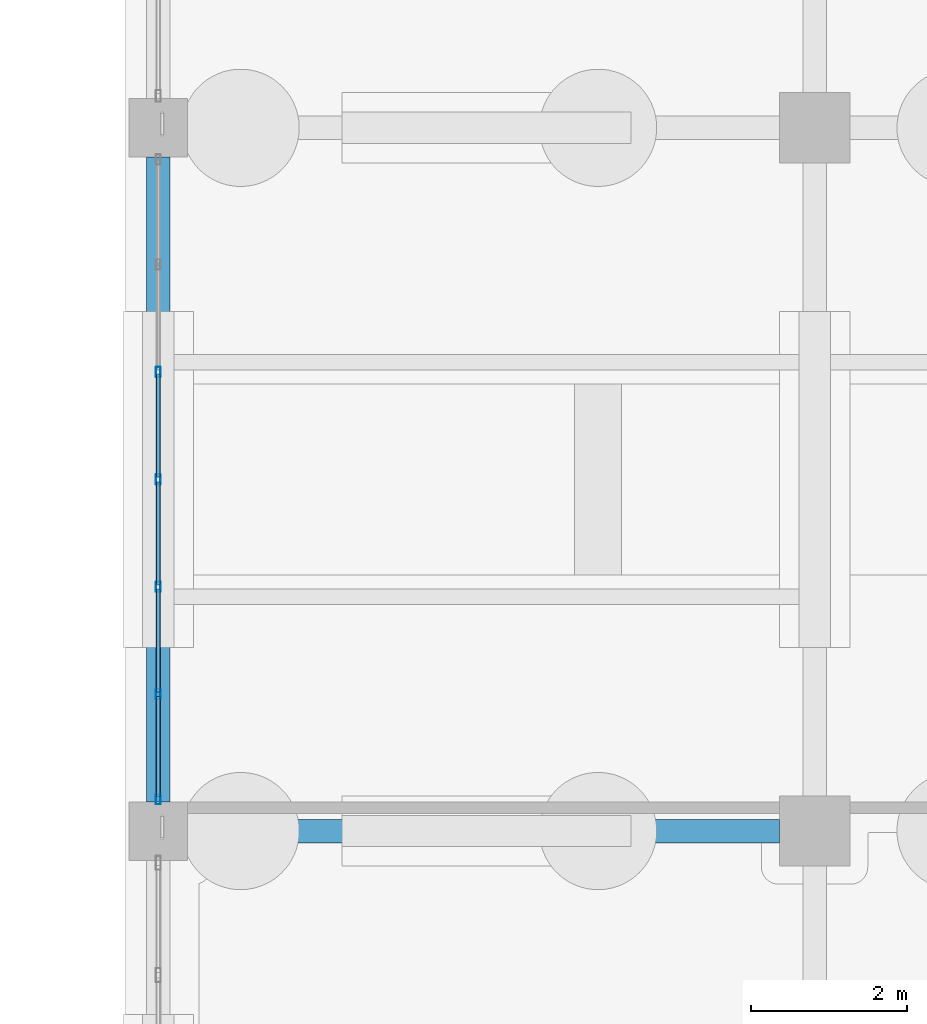
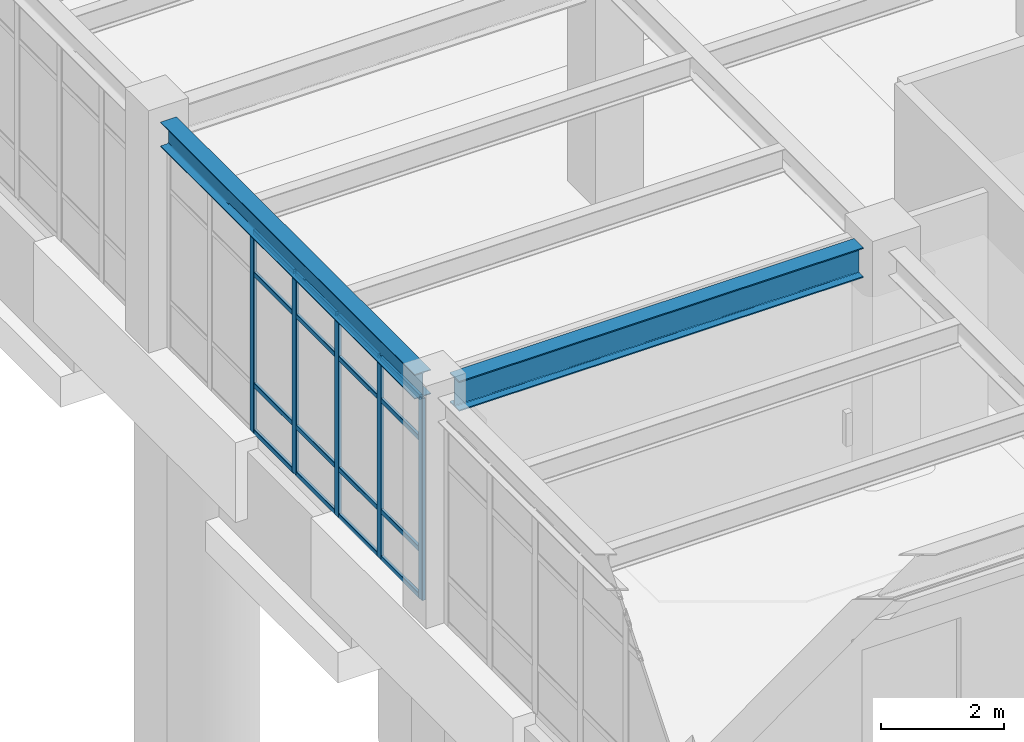
# One storey, part 59 of 139: 21 members, 2 beams, 1 element without a shape of its own.
"""IFC4 building model written with IfcOpenShell, lengths in metres."""

from ifc_helpers import new_model, si_unit, direction, frame, origin, origin_2d, place, context, subcontext, project, spatial, hollow_rectangle, i_section, extrude, material, material_profile, profile_set, type_object, element, aggregate, save


model = new_model("IFC4")

# Units and contexts
model_context = context("Model", 3, precision=1e-05, world=origin(), true_north=direction((0.0, 1.0)))
body_context = subcontext(model_context, "Body", "Model", "MODEL_VIEW")
ifc_project = project(units=[si_unit("LENGTHUNIT", "METRE"), si_unit("AREAUNIT", "SQUARE_METRE"), si_unit("VOLUMEUNIT", "CUBIC_METRE"), si_unit("PLANEANGLEUNIT", "RADIAN"), si_unit("MASSUNIT", "GRAM", prefix="KILO")], contexts=[model_context])

# Site, building, storey
site_placement = place(None, origin())
site = spatial("IfcSite", under=ifc_project, at=site_placement, CompositionType="ELEMENT")
building_placement = place(site_placement, origin())
building = spatial("IfcBuilding", under=site, at=building_placement, Name="Canglan Escarpment Cableway Terminal", CompositionType="ELEMENT")
storey_placement = place(building_placement, frame((0.0, 0.0, 14.39990234375)))
storey = spatial("IfcBuildingStorey", under=building, at=storey_placement, Name="L03", CompositionType="ELEMENT", Elevation=14.39990234375)

# Beams
ifc_material_1 = material(Name="Steel Q355B", Category="steel")
ifc_material_profile_1 = material_profile(ifc_material_1, i_section(OverallWidth=0.300048828125, OverallDepth=0.488037109375, WebThickness=0.010986328125, FlangeThickness=0.01806640625, FilletRadius=0.02587890625, at=origin_2d()), Name="HM 488x300x11x18")
ifc_profile_set_1 = profile_set([ifc_material_profile_1], Name="Steel Q355B")
beam_type_1 = type_object("IfcBeamType", Name="BM-HM488", PredefinedType="BEAM", material=ifc_profile_set_1)
beam_1_placement = place(storey_placement, frame((111.5, 97.375, 4.256103515625), z_axis=(0.0, 1.0, 0.0), x_axis=(-1.0, 0.0, 0.0)))
element("IfcBeam", 1, at=beam_1_placement, inside=storey, type_object=beam_type_1, Name="Primary transverse girder B-09", PredefinedType="BEAM", context=body_context, shape_type="SweptSolid", body=[
    extrude(i_section(OverallWidth=0.300048828125, OverallDepth=0.488037109375, WebThickness=0.010986328125, FlangeThickness=0.01806640625, FilletRadius=0.02587890625, at=origin_2d()), origin(), (0.0, 0.0, 1.0), 8.25),
])
ifc_material_2 = material(Name="Steel Q355C", Category="steel")
ifc_material_profile_2 = material_profile(ifc_material_2, i_section(OverallWidth=0.302001953125, OverallDepth=0.593994140625, WebThickness=0.013916015625, FlangeThickness=0.02294921875, FilletRadius=0.028076171875, at=origin_2d()), Name="HM 594x302x14x23")
ifc_profile_set_2 = profile_set([ifc_material_profile_2], Name="Steel Q355C")
beam_type_2 = type_object("IfcBeamType", Name="BM-HM594", PredefinedType="BEAM", material=ifc_profile_set_2)
beam_2_placement = place(storey_placement, frame((111.875, 97.0, 4.203125), z_axis=(1.0, 0.0, 0.0), x_axis=(0.0, 1.0, 0.0)))
element("IfcBeam", 2, at=beam_2_placement, inside=storey, type_object=beam_type_2, Name="Primary structural girder B-07", PredefinedType="BEAM", context=body_context, shape_type="SweptSolid", body=[
    extrude(i_section(OverallWidth=0.302001953125, OverallDepth=0.593994140625, WebThickness=0.013916015625, FlangeThickness=0.02294921875, FilletRadius=0.028076171875, at=origin_2d()), origin(), (0.0, 0.0, 1.0), 7.574951171875),
])

# Curtain wall, members
ifc_material_3 = material(Name="Anodized bronze aluminium and Low-E double glazing", Category="aluminium")
curtain_wall_type = type_object("IfcCurtainWallType", Name="CW-BAY-8250x4000", PredefinedType="NOTDEFINED", material=ifc_material_3)
curtain_wall_placement = place(storey_placement, origin())
curtain_wall = element("IfcCurtainWall", 3, at=curtain_wall_placement, inside=storey, type_object=curtain_wall_type, Name="Classical bay-between-piers glazed curtain wall CW-48", PredefinedType="NOTDEFINED")
ifc_material_4 = material(Name="Thermally broken anodized aluminium 6063-T6", Category="aluminium")
ifc_material_profile_3 = material_profile(ifc_material_4, hollow_rectangle(XDim=0.06005859375, YDim=0.1298828125, WallThickness=0.0029296875, InnerFilletRadius=0.0029296875, OuterFilletRadius=0.006103515625, at=origin_2d()), Name="ALU-MULL 60x130x3")
ifc_profile_set_3 = profile_set([ifc_material_profile_3], Name="Thermally broken anodized aluminium 6063-T6")
member_type_1 = type_object("IfcMemberType", Name="CWM-01", PredefinedType="MULLION", material=ifc_profile_set_3)
member_1_placement = place(storey_placement, frame((111.5, 102.875, 0.0), z_axis=(0.0, 0.0, 1.0), x_axis=(1.0, 0.0, 0.0)))
member_1 = element("IfcMember", 4, at=member_1_placement, type_object=member_type_1, Name="CW-48 mullion 3", PredefinedType="MULLION", context=body_context, shape_type="SweptSolid", body=[
    extrude(hollow_rectangle(XDim=0.06005859375, YDim=0.1298828125, WallThickness=0.0029296875, InnerFilletRadius=0.0029296875, OuterFilletRadius=0.006103515625, at=origin_2d()), origin(), (0.0, 0.0, 1.0), 3.9970703125),
])
member_2_placement = place(storey_placement, frame((111.5, 101.5, 0.0), z_axis=(0.0, 0.0, 1.0), x_axis=(1.0, 0.0, 0.0)))
member_2 = element("IfcMember", 5, at=member_2_placement, type_object=member_type_1, Name="CW-48 mullion 4", PredefinedType="MULLION", context=body_context, shape_type="SweptSolid", body=[
    extrude(hollow_rectangle(XDim=0.06005859375, YDim=0.1298828125, WallThickness=0.0029296875, InnerFilletRadius=0.0029296875, OuterFilletRadius=0.006103515625, at=origin_2d()), origin(), (0.0, 0.0, 1.0), 3.9970703125),
])
member_3_placement = place(storey_placement, frame((111.5, 100.125, 0.0), z_axis=(0.0, 0.0, 1.0), x_axis=(1.0, 0.0, 0.0)))
member_3 = element("IfcMember", 6, at=member_3_placement, type_object=member_type_1, Name="CW-48 mullion 5", PredefinedType="MULLION", context=body_context, shape_type="SweptSolid", body=[
    extrude(hollow_rectangle(XDim=0.06005859375, YDim=0.1298828125, WallThickness=0.0029296875, InnerFilletRadius=0.0029296875, OuterFilletRadius=0.006103515625, at=origin_2d()), origin(), (0.0, 0.0, 1.0), 3.9970703125),
])
member_4_placement = place(storey_placement, frame((111.5, 98.75, 0.0), z_axis=(0.0, 0.0, 1.0), x_axis=(1.0, 0.0, 0.0)))
member_4 = element("IfcMember", 7, at=member_4_placement, type_object=member_type_1, Name="CW-48 mullion 6", PredefinedType="MULLION", context=body_context, shape_type="SweptSolid", body=[
    extrude(hollow_rectangle(XDim=0.06005859375, YDim=0.1298828125, WallThickness=0.0029296875, InnerFilletRadius=0.0029296875, OuterFilletRadius=0.006103515625, at=origin_2d()), origin(), (0.0, 0.0, 1.0), 3.9970703125),
])
member_5_placement = place(storey_placement, frame((111.5, 97.405029296875, 0.0), z_axis=(0.0, 0.0, 1.0), x_axis=(1.0, 0.0, 0.0)))
member_5 = element("IfcMember", 8, at=member_5_placement, type_object=member_type_1, Name="CW-48 mullion 7", PredefinedType="MULLION", context=body_context, shape_type="SweptSolid", body=[
    extrude(hollow_rectangle(XDim=0.06005859375, YDim=0.1298828125, WallThickness=0.0029296875, InnerFilletRadius=0.0029296875, OuterFilletRadius=0.006103515625, at=origin_2d()), origin(), (0.0, 0.0, 1.0), 3.9970703125),
])
ifc_material_profile_4 = material_profile(ifc_material_4, hollow_rectangle(XDim=0.054931640625, YDim=0.094970703125, WallThickness=0.0029296875, InnerFilletRadius=0.0029296875, OuterFilletRadius=0.006103515625, at=origin_2d()), Name="ALU-TRAN 55x95x3")
ifc_profile_set_4 = profile_set([ifc_material_profile_4], Name="Thermally broken anodized aluminium 6063-T6")
member_type_2 = type_object("IfcMemberType", Name="CWT-01", PredefinedType="USERDEFINED", material=ifc_profile_set_4)
member_6_placement = place(storey_placement, frame((111.5, 102.844970703125, 0.027587890625), z_axis=(0.0, -1.0, 0.0), x_axis=(1.0, 0.0, 0.0)))
member_6 = element("IfcMember", 9, at=member_6_placement, type_object=member_type_2, Name="CW-48 transom 3.1", ObjectType="TRANSOM", PredefinedType="USERDEFINED", context=body_context, shape_type="SweptSolid", body=[
    extrude(hollow_rectangle(XDim=0.054931640625, YDim=0.094970703125, WallThickness=0.0029296875, InnerFilletRadius=0.0029296875, OuterFilletRadius=0.006103515625, at=origin_2d()), origin(), (0.0, 0.0, 1.0), 1.31494140625),
])
member_7_placement = place(storey_placement, frame((111.5, 102.844970703125, 0.9501953125), z_axis=(0.0, -1.0, 0.0), x_axis=(1.0, 0.0, 0.0)))
member_7 = element("IfcMember", 10, at=member_7_placement, type_object=member_type_2, Name="CW-48 transom 3.2", ObjectType="TRANSOM", PredefinedType="USERDEFINED", context=body_context, shape_type="SweptSolid", body=[
    extrude(hollow_rectangle(XDim=0.054931640625, YDim=0.094970703125, WallThickness=0.0029296875, InnerFilletRadius=0.0029296875, OuterFilletRadius=0.006103515625, at=origin_2d()), origin(), (0.0, 0.0, 1.0), 1.31494140625),
])
member_8_placement = place(storey_placement, frame((111.5, 102.844970703125, 3.147216796875), z_axis=(0.0, -1.0, 0.0), x_axis=(1.0, 0.0, 0.0)))
member_8 = element("IfcMember", 11, at=member_8_placement, type_object=member_type_2, Name="CW-48 transom 3.3", ObjectType="TRANSOM", PredefinedType="USERDEFINED", context=body_context, shape_type="SweptSolid", body=[
    extrude(hollow_rectangle(XDim=0.054931640625, YDim=0.094970703125, WallThickness=0.0029296875, InnerFilletRadius=0.0029296875, OuterFilletRadius=0.006103515625, at=origin_2d()), origin(), (0.0, 0.0, 1.0), 1.31494140625),
])
member_9_placement = place(storey_placement, frame((111.5, 102.844970703125, 3.969482421875), z_axis=(0.0, -1.0, 0.0), x_axis=(1.0, 0.0, 0.0)))
member_9 = element("IfcMember", 12, at=member_9_placement, type_object=member_type_2, Name="CW-48 transom 3.4", ObjectType="TRANSOM", PredefinedType="USERDEFINED", context=body_context, shape_type="SweptSolid", body=[
    extrude(hollow_rectangle(XDim=0.054931640625, YDim=0.094970703125, WallThickness=0.0029296875, InnerFilletRadius=0.0029296875, OuterFilletRadius=0.006103515625, at=origin_2d()), origin(), (0.0, 0.0, 1.0), 1.31494140625),
])
member_10_placement = place(storey_placement, frame((111.5, 101.469970703125, 0.027587890625), z_axis=(0.0, -1.0, 0.0), x_axis=(1.0, 0.0, 0.0)))
member_10 = element("IfcMember", 13, at=member_10_placement, type_object=member_type_2, Name="CW-48 transom 4.1", ObjectType="TRANSOM", PredefinedType="USERDEFINED", context=body_context, shape_type="SweptSolid", body=[
    extrude(hollow_rectangle(XDim=0.054931640625, YDim=0.094970703125, WallThickness=0.0029296875, InnerFilletRadius=0.0029296875, OuterFilletRadius=0.006103515625, at=origin_2d()), origin(), (0.0, 0.0, 1.0), 1.31494140625),
])
member_11_placement = place(storey_placement, frame((111.5, 101.469970703125, 0.9501953125), z_axis=(0.0, -1.0, 0.0), x_axis=(1.0, 0.0, 0.0)))
member_11 = element("IfcMember", 14, at=member_11_placement, type_object=member_type_2, Name="CW-48 transom 4.2", ObjectType="TRANSOM", PredefinedType="USERDEFINED", context=body_context, shape_type="SweptSolid", body=[
    extrude(hollow_rectangle(XDim=0.054931640625, YDim=0.094970703125, WallThickness=0.0029296875, InnerFilletRadius=0.0029296875, OuterFilletRadius=0.006103515625, at=origin_2d()), origin(), (0.0, 0.0, 1.0), 1.31494140625),
])
member_12_placement = place(storey_placement, frame((111.5, 101.469970703125, 3.147216796875), z_axis=(0.0, -1.0, 0.0), x_axis=(1.0, 0.0, 0.0)))
member_12 = element("IfcMember", 15, at=member_12_placement, type_object=member_type_2, Name="CW-48 transom 4.3", ObjectType="TRANSOM", PredefinedType="USERDEFINED", context=body_context, shape_type="SweptSolid", body=[
    extrude(hollow_rectangle(XDim=0.054931640625, YDim=0.094970703125, WallThickness=0.0029296875, InnerFilletRadius=0.0029296875, OuterFilletRadius=0.006103515625, at=origin_2d()), origin(), (0.0, 0.0, 1.0), 1.31494140625),
])
member_13_placement = place(storey_placement, frame((111.5, 101.469970703125, 3.969482421875), z_axis=(0.0, -1.0, 0.0), x_axis=(1.0, 0.0, 0.0)))
member_13 = element("IfcMember", 16, at=member_13_placement, type_object=member_type_2, Name="CW-48 transom 4.4", ObjectType="TRANSOM", PredefinedType="USERDEFINED", context=body_context, shape_type="SweptSolid", body=[
    extrude(hollow_rectangle(XDim=0.054931640625, YDim=0.094970703125, WallThickness=0.0029296875, InnerFilletRadius=0.0029296875, OuterFilletRadius=0.006103515625, at=origin_2d()), origin(), (0.0, 0.0, 1.0), 1.31494140625),
])
member_14_placement = place(storey_placement, frame((111.5, 100.094970703125, 0.027587890625), z_axis=(0.0, -1.0, 0.0), x_axis=(1.0, 0.0, 0.0)))
member_14 = element("IfcMember", 17, at=member_14_placement, type_object=member_type_2, Name="CW-48 transom 5.1", ObjectType="TRANSOM", PredefinedType="USERDEFINED", context=body_context, shape_type="SweptSolid", body=[
    extrude(hollow_rectangle(XDim=0.054931640625, YDim=0.094970703125, WallThickness=0.0029296875, InnerFilletRadius=0.0029296875, OuterFilletRadius=0.006103515625, at=origin_2d()), origin(), (0.0, 0.0, 1.0), 1.31494140625),
])
member_15_placement = place(storey_placement, frame((111.5, 100.094970703125, 0.9501953125), z_axis=(0.0, -1.0, 0.0), x_axis=(1.0, 0.0, 0.0)))
member_15 = element("IfcMember", 18, at=member_15_placement, type_object=member_type_2, Name="CW-48 transom 5.2", ObjectType="TRANSOM", PredefinedType="USERDEFINED", context=body_context, shape_type="SweptSolid", body=[
    extrude(hollow_rectangle(XDim=0.054931640625, YDim=0.094970703125, WallThickness=0.0029296875, InnerFilletRadius=0.0029296875, OuterFilletRadius=0.006103515625, at=origin_2d()), origin(), (0.0, 0.0, 1.0), 1.31494140625),
])
member_16_placement = place(storey_placement, frame((111.5, 100.094970703125, 3.147216796875), z_axis=(0.0, -1.0, 0.0), x_axis=(1.0, 0.0, 0.0)))
member_16 = element("IfcMember", 19, at=member_16_placement, type_object=member_type_2, Name="CW-48 transom 5.3", ObjectType="TRANSOM", PredefinedType="USERDEFINED", context=body_context, shape_type="SweptSolid", body=[
    extrude(hollow_rectangle(XDim=0.054931640625, YDim=0.094970703125, WallThickness=0.0029296875, InnerFilletRadius=0.0029296875, OuterFilletRadius=0.006103515625, at=origin_2d()), origin(), (0.0, 0.0, 1.0), 1.31494140625),
])
member_17_placement = place(storey_placement, frame((111.5, 100.094970703125, 3.969482421875), z_axis=(0.0, -1.0, 0.0), x_axis=(1.0, 0.0, 0.0)))
member_17 = element("IfcMember", 20, at=member_17_placement, type_object=member_type_2, Name="CW-48 transom 5.4", ObjectType="TRANSOM", PredefinedType="USERDEFINED", context=body_context, shape_type="SweptSolid", body=[
    extrude(hollow_rectangle(XDim=0.054931640625, YDim=0.094970703125, WallThickness=0.0029296875, InnerFilletRadius=0.0029296875, OuterFilletRadius=0.006103515625, at=origin_2d()), origin(), (0.0, 0.0, 1.0), 1.31494140625),
])
member_18_placement = place(storey_placement, frame((111.5, 98.719970703125, 0.027587890625), z_axis=(0.0, -1.0, 0.0), x_axis=(1.0, 0.0, 0.0)))
member_18 = element("IfcMember", 21, at=member_18_placement, type_object=member_type_2, Name="CW-48 transom 6.1", ObjectType="TRANSOM", PredefinedType="USERDEFINED", context=body_context, shape_type="SweptSolid", body=[
    extrude(hollow_rectangle(XDim=0.054931640625, YDim=0.094970703125, WallThickness=0.0029296875, InnerFilletRadius=0.0029296875, OuterFilletRadius=0.006103515625, at=origin_2d()), origin(), (0.0, 0.0, 1.0), 1.284912109375),
])
member_19_placement = place(storey_placement, frame((111.5, 98.719970703125, 0.9501953125), z_axis=(0.0, -1.0, 0.0), x_axis=(1.0, 0.0, 0.0)))
member_19 = element("IfcMember", 22, at=member_19_placement, type_object=member_type_2, Name="CW-48 transom 6.2", ObjectType="TRANSOM", PredefinedType="USERDEFINED", context=body_context, shape_type="SweptSolid", body=[
    extrude(hollow_rectangle(XDim=0.054931640625, YDim=0.094970703125, WallThickness=0.0029296875, InnerFilletRadius=0.0029296875, OuterFilletRadius=0.006103515625, at=origin_2d()), origin(), (0.0, 0.0, 1.0), 1.284912109375),
])
member_20_placement = place(storey_placement, frame((111.5, 98.719970703125, 3.147216796875), z_axis=(0.0, -1.0, 0.0), x_axis=(1.0, 0.0, 0.0)))
member_20 = element("IfcMember", 23, at=member_20_placement, type_object=member_type_2, Name="CW-48 transom 6.3", ObjectType="TRANSOM", PredefinedType="USERDEFINED", context=body_context, shape_type="SweptSolid", body=[
    extrude(hollow_rectangle(XDim=0.054931640625, YDim=0.094970703125, WallThickness=0.0029296875, InnerFilletRadius=0.0029296875, OuterFilletRadius=0.006103515625, at=origin_2d()), origin(), (0.0, 0.0, 1.0), 1.284912109375),
])
member_21_placement = place(storey_placement, frame((111.5, 98.719970703125, 3.969482421875), z_axis=(0.0, -1.0, 0.0), x_axis=(1.0, 0.0, 0.0)))
member_21 = element("IfcMember", 24, at=member_21_placement, type_object=member_type_2, Name="CW-48 transom 6.4", ObjectType="TRANSOM", PredefinedType="USERDEFINED", context=body_context, shape_type="SweptSolid", body=[
    extrude(hollow_rectangle(XDim=0.054931640625, YDim=0.094970703125, WallThickness=0.0029296875, InnerFilletRadius=0.0029296875, OuterFilletRadius=0.006103515625, at=origin_2d()), origin(), (0.0, 0.0, 1.0), 1.284912109375),
])
aggregate(curtain_wall, [member_1, member_2, member_3, member_4, member_5, member_6, member_7, member_8, member_9, member_10, member_11, member_12, member_13, member_14, member_15, member_16, member_17, member_18, member_19, member_20, member_21])

save(model, "model.ifc")
